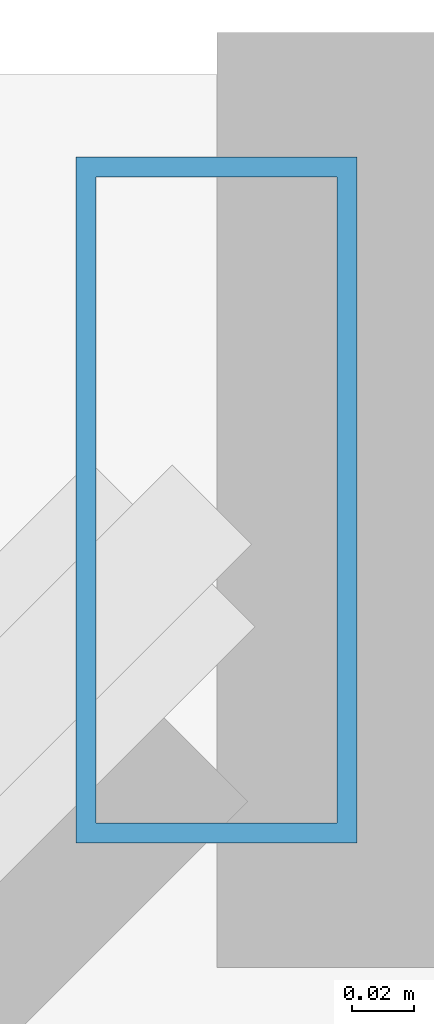
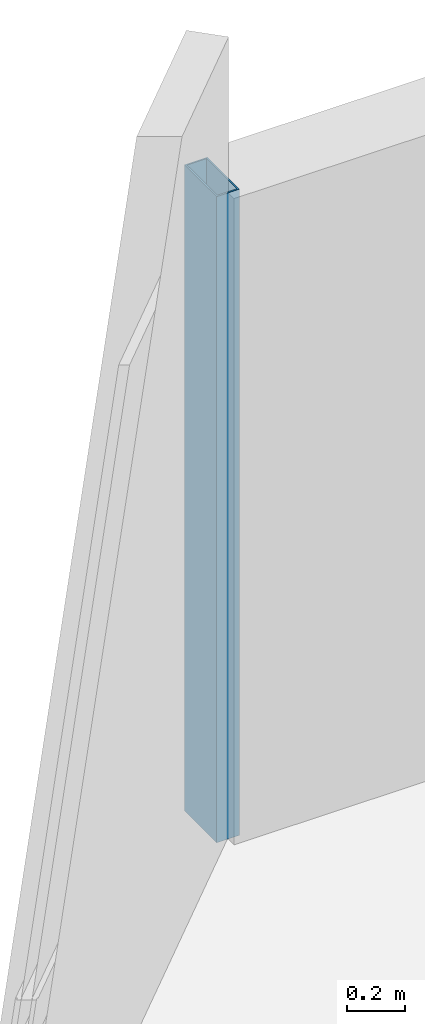
# One storey, part 9 of 33: 1 member, 1 element without a shape of its own.
"""IFC4 building model written with IfcOpenShell, lengths in metres."""

from ifc_helpers import new_model, si_unit, direction, frame, origin, origin_2d, place, context, subcontext, project, spatial, hollow_rectangle, extrude, material, material_profile, profile_set, type_object, element, aggregate, save


model = new_model("IFC4")

# Units and contexts
model_context = context("Model", 3, precision=1e-05, world=origin(), true_north=direction((0.0, 1.0)))
body_context = subcontext(model_context, "Body", "Model", "MODEL_VIEW")
ifc_project = project(units=[si_unit("LENGTHUNIT", "METRE"), si_unit("AREAUNIT", "SQUARE_METRE"), si_unit("VOLUMEUNIT", "CUBIC_METRE"), si_unit("PLANEANGLEUNIT", "RADIAN"), si_unit("MASSUNIT", "GRAM", prefix="KILO")], contexts=[model_context])

# Site, building, storey
site_placement = place(None, origin())
site = spatial("IfcSite", under=ifc_project, at=site_placement, CompositionType="ELEMENT")
building_placement = place(site_placement, origin())
building = spatial("IfcBuilding", under=site, at=building_placement, Name="Thornwick Lancets Civic Towers", CompositionType="ELEMENT")
storey_placement = place(building_placement, frame((0.0, 0.0, 112.5)))
storey = spatial("IfcBuildingStorey", under=building, at=storey_placement, Name="L29", CompositionType="ELEMENT", Elevation=112.5)

# Curtain wall, member
ifc_material_1 = material(Name="Low-zone chamfered-corner unitised glass curtain wall", Category="glass")
curtain_wall_type = type_object("IfcCurtainWallType", Name="CW_SYS_03", PredefinedType="NOTDEFINED", material=ifc_material_1)
curtain_wall_placement = place(storey_placement, origin())
curtain_wall = element("IfcCurtainWall", 1, at=curtain_wall_placement, inside=storey, type_object=curtain_wall_type, Name="L29 Curtain Wall CW-L29-A-E5", PredefinedType="NOTDEFINED")
ifc_material_2 = material(Name="Thermally broken bronze aluminium S355", Category="steel")
ifc_material_profile = material_profile(ifc_material_2, hollow_rectangle(XDim=0.090087890625, YDim=0.219970703125, WallThickness=0.00634765625, at=origin_2d()), Name="RHS 220x90x6.3")
ifc_profile_set = profile_set([ifc_material_profile], Name="Thermally broken bronze aluminium S355")
member_type = type_object("IfcMemberType", Name="CW_MUL_220", PredefinedType="MULLION", material=ifc_profile_set)
member_placement = place(storey_placement, frame((4.444580078125, 50.963623046875, 0.0), z_axis=(0.0, 0.0, 1.0), x_axis=(1.0, 0.0, 0.0)))
member = element("IfcMember", 2, at=member_placement, type_object=member_type, Name="CW-L29-A-E5 Mullion 0", PredefinedType="MULLION", context=body_context, shape_type="SweptSolid", body=[
    extrude(hollow_rectangle(XDim=0.090087890625, YDim=0.219970703125, WallThickness=0.00634765625, at=origin_2d()), origin(), (0.0, 0.0, 1.0), 2.699951171875),
])
aggregate(curtain_wall, [member])

save(model, "model.ifc")
